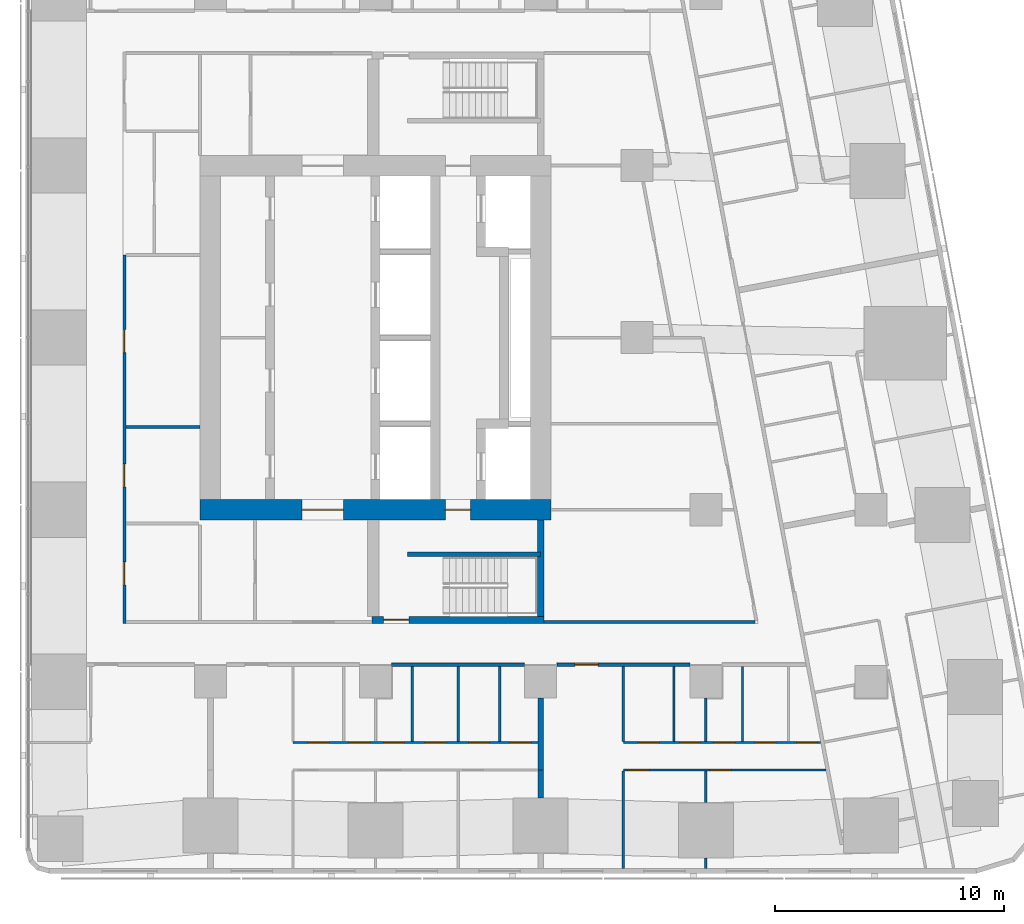
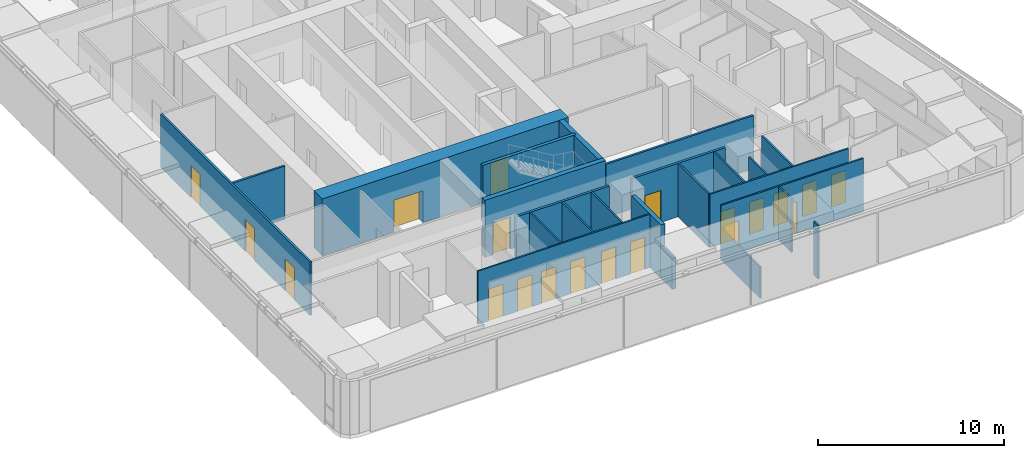
# One storey, part 11 of 19: 24 walls, 20 doors, 20 openings.
"""IFC4 building model written with IfcOpenShell, lengths in metres."""

from ifc_helpers import new_model, si_unit, direction, frame, frame_2d, origin, place, context, subcontext, project, spatial, rectangle, extrude, material, layer, layer_set, type_object, element, fill, save


model = new_model("IFC4")

# Units and contexts
model_context = context("Model", 3, precision=1e-05, world=origin(), true_north=direction((0.0, 1.0)))
body_context = subcontext(model_context, "Body", "Model", "MODEL_VIEW")
ifc_project = project(units=[si_unit("LENGTHUNIT", "METRE"), si_unit("AREAUNIT", "SQUARE_METRE"), si_unit("VOLUMEUNIT", "CUBIC_METRE"), si_unit("PLANEANGLEUNIT", "RADIAN"), si_unit("MASSUNIT", "GRAM", prefix="KILO")], contexts=[model_context])

# Site, building, storey
site_placement = place(None, origin())
site = spatial("IfcSite", under=ifc_project, at=site_placement, CompositionType="ELEMENT")
building_placement = place(site_placement, origin())
building = spatial("IfcBuilding", under=site, at=building_placement, Name="Sheger Commons Tower", CompositionType="ELEMENT")
storey_placement = place(building_placement, frame((0.0, 0.0, 201.199951171875)))
storey = spatial("IfcBuildingStorey", under=building, at=storey_placement, Name="L51", CompositionType="ELEMENT", Elevation=201.199951171875)

# Wall, openings, doors
ifc_material_1 = material(Name="Concrete C50/60", Category="concrete")
ifc_layer_1 = layer(ifc_material_1, 0.89990234375)
ifc_layer_set_1 = layer_set([ifc_layer_1], Name="CORE WALL 900")
wall_type_1 = type_object("IfcWallType", Name="CORE WALL 900", PredefinedType="SHEAR", material=ifc_layer_set_1)
wall_1_placement = place(storey_placement, frame((13.949951171875, 15.0, 0.0), z_axis=(0.0, 0.0, 1.0), x_axis=(1.0, 0.0, 0.0)))
wall_1 = element("IfcWall", 1, at=wall_1_placement, inside=storey, type_object=wall_type_1, Name="Core wall south L51", PredefinedType="SHEAR", context=body_context, shape_type="SweptSolid", body=[
    extrude(rectangle(XDim=15.300048828125, YDim=0.89990234375, at=frame_2d((7.64990234375, 0.0))), origin(), (0.0, 0.0, 1.0), 3.75),
])
opening_1_placement = place(wall_1_placement, frame((4.449951171875, 0.0, 0.0)))
opening_1 = element("IfcOpeningElement", 2, at=opening_1_placement, cuts=wall_1, Name="Opening D6", PredefinedType="OPENING", context=body_context, shape_type="SweptSolid", body=[
    extrude(rectangle(XDim=1.800048828125, YDim=2.10009765625, at=frame_2d((0.89990234375, 1.050048828125))), frame((0.0, 0.4599609375, 0.0), z_axis=(0.0, -1.0, 0.0), x_axis=(1.0, 0.0, 0.0)), (0.0, 0.0, 1.0), 0.919921875),
])
opening_2_placement = place(wall_1_placement, frame((10.699951171875, 0.0, 0.0)))
opening_2 = element("IfcOpeningElement", 3, at=opening_2_placement, cuts=wall_1, Name="Opening D5", PredefinedType="OPENING", context=body_context, shape_type="SweptSolid", body=[
    extrude(rectangle(XDim=1.10009765625, YDim=2.10009765625, at=frame_2d((0.550048828125, 1.050048828125))), frame((0.0, 0.4599609375, 0.0), z_axis=(0.0, -1.0, 0.0), x_axis=(1.0, 0.0, 0.0)), (0.0, 0.0, 1.0), 0.919921875),
])
ifc_material_2 = material(Name="Steel door set, fire rated", Category="steel")
door_type_1 = type_object("IfcDoorType", Name="LOBBY DOUBLE DOOR 1800x2100", OperationType="DOUBLE_DOOR_SINGLE_SWING", PredefinedType="DOOR", material=ifc_material_2)
door_1_placement = place(opening_1_placement, origin())
door_1 = element("IfcDoor", 4, at=door_1_placement, inside=storey, type_object=door_type_1, Name="Lift lobby door", OperationType="DOUBLE_DOOR_SINGLE_SWING", OverallHeight=2.10009765625, OverallWidth=1.800048828125, PredefinedType="DOOR", context=body_context, shape_type="SweptSolid", body=[
    extrude(rectangle(XDim=1.800048828125, YDim=2.10009765625, at=frame_2d((0.89990234375, 1.050048828125))), frame((0.0, 0.02490234375, 0.0), z_axis=(0.0, -1.0, 0.0), x_axis=(1.0, 0.0, 0.0)), (0.0, 0.0, 1.0), 0.050048828125),
])
fill(opening_1, door_1)
ifc_material_3 = material(Name="Steel door set, fire rated", Category="steel")
door_type_2 = type_object("IfcDoorType", Name="STAIR DOOR 1100x2100", OperationType="NOTDEFINED", PredefinedType="DOOR", material=ifc_material_3)
door_2_placement = place(opening_2_placement, origin())
door_2 = element("IfcDoor", 5, at=door_2_placement, inside=storey, type_object=door_type_2, Name="Fire-fighting lobby door", OperationType="SINGLE_SWING_LEFT", OverallHeight=2.10009765625, OverallWidth=1.10009765625, PredefinedType="DOOR", context=body_context, shape_type="SweptSolid", body=[
    extrude(rectangle(XDim=1.10009765625, YDim=2.10009765625, at=frame_2d((0.550048828125, 1.050048828125))), frame((0.0, 0.02490234375, 0.0), z_axis=(0.0, -1.0, 0.0), x_axis=(1.0, 0.0, 0.0)), (0.0, 0.0, 1.0), 0.050048828125),
])
fill(opening_2, door_2)

# Wall, opening, door
ifc_material_4 = material(Name="Hollow concrete block masonry, skimmed both sides", Category="masonry")
ifc_layer_2 = layer(ifc_material_4, 0.14990234375)
ifc_layer_set_2 = layer_set([ifc_layer_2], Name="CORRIDOR WALL 150")
wall_type_2 = type_object("IfcWallType", Name="CORRIDOR WALL 150", PredefinedType="SOLIDWALL", material=ifc_layer_set_2)
wall_2_placement = place(storey_placement, frame((35.299072265625, 8.25, 0.0), z_axis=(0.0, 0.0, 1.0), x_axis=(-1.0, 0.0, 0.0)))
wall_2 = element("IfcWall", 6, at=wall_2_placement, inside=storey, type_object=wall_type_2, Name="Corridor wall L51", PredefinedType="SOLIDWALL", context=body_context, shape_type="SweptSolid", body=[
    extrude(rectangle(XDim=5.798095703125, YDim=0.14990234375, at=frame_2d((2.89892578125, 0.0))), origin(), (0.0, 0.0, 1.0), 3.5),
])
opening_3_placement = place(wall_2_placement, frame((3.9990234375, 0.0, 0.0)))
opening_3 = element("IfcOpeningElement", 7, at=opening_3_placement, cuts=wall_2, Name="Opening D1", PredefinedType="OPENING", context=body_context, shape_type="SweptSolid", body=[
    extrude(rectangle(XDim=1.0, YDim=2.10009765625, at=frame_2d((0.5, 1.050048828125))), frame((0.0, 0.0849609375, 0.0), z_axis=(0.0, -1.0, 0.0), x_axis=(1.0, 0.0, 0.0)), (0.0, 0.0, 1.0), 0.169921875),
])
ifc_material_5 = material(Name="Steel door set, fire rated", Category="steel")
door_type_3 = type_object("IfcDoorType", Name="FLAT ENTRANCE DOOR 1000x2100", OperationType="NOTDEFINED", PredefinedType="DOOR", material=ifc_material_5)
door_3_placement = place(opening_3_placement, origin())
door_3 = element("IfcDoor", 8, at=door_3_placement, inside=storey, type_object=door_type_3, Name="Flat entrance door", OperationType="SINGLE_SWING_RIGHT", OverallHeight=2.10009765625, OverallWidth=1.0, PredefinedType="DOOR", context=body_context, shape_type="SweptSolid", body=[
    extrude(rectangle(XDim=1.0, YDim=2.10009765625, at=frame_2d((0.5, 1.050048828125))), frame((0.0, 0.02490234375, 0.0), z_axis=(0.0, -1.0, 0.0), x_axis=(1.0, 0.0, 0.0)), (0.0, 0.0, 1.0), 0.050048828125),
])
fill(opening_3, door_3)

# Walls
wall_3_placement = place(storey_placement, frame((28.09912109375, 8.25, 0.0), z_axis=(0.0, 0.0, 1.0), x_axis=(-1.0, 0.0, 0.0)))
element("IfcWall", 9, at=wall_3_placement, inside=storey, type_object=wall_type_2, Name="Corridor wall L51", PredefinedType="SOLIDWALL", context=body_context, shape_type="SweptSolid", body=[
    extrude(rectangle(XDim=5.798095703125, YDim=0.14990234375, at=frame_2d((2.89892578125, 0.0))), origin(), (0.0, 0.0, 1.0), 3.5),
])
ifc_material_6 = material(Name="Dense concrete block masonry, plastered both sides (separating wall between flats)", Category="masonry")
ifc_layer_3 = layer(ifc_material_6, 0.25)
ifc_layer_set_3 = layer_set([ifc_layer_3], Name="DEMISING WALL 250")
wall_type_3 = type_object("IfcWallType", Name="DEMISING WALL 250", PredefinedType="SOLIDWALL", material=ifc_layer_set_3)
wall_4_placement = place(storey_placement, frame((28.800048828125, 2.426025390625, 0.0), z_axis=(0.0, 0.0, 1.0), x_axis=(0.0, 1.0, 0.0)))
element("IfcWall", 10, at=wall_4_placement, inside=storey, type_object=wall_type_3, Name="Demising wall L51", PredefinedType="SOLIDWALL", context=body_context, shape_type="SweptSolid", body=[
    extrude(rectangle(XDim=1.223876953125, YDim=0.25, at=frame_2d((0.61181640625, 0.0))), origin(), (0.0, 0.0, 1.0), 2.050048828125),
])
wall_5_placement = place(storey_placement, frame((28.800048828125, 3.64990234375, 0.0), z_axis=(0.0, 0.0, 1.0), x_axis=(0.0, 1.0, 0.0)))
element("IfcWall", 11, at=wall_5_placement, inside=storey, type_object=wall_type_3, Name="Demising wall L51", PredefinedType="SOLIDWALL", context=body_context, shape_type="SweptSolid", body=[
    extrude(rectangle(XDim=3.149169921875, YDim=0.25, at=frame_2d((1.57470703125, 0.0))), origin(), (0.0, 0.0, 1.0), 3.5),
])

# Wall, openings, doors
ifc_material_7 = material(Name="Gypsum board on steel studs", Category="steel")
ifc_layer_4 = layer(ifc_material_7, 0.10009765625)
ifc_layer_set_4 = layer_set([ifc_layer_4], Name="PARTITION 100")
wall_type_4 = type_object("IfcWallType", Name="PARTITION 100", PredefinedType="PARTITIONING", material=ifc_layer_set_4)
wall_6_placement = place(storey_placement, frame((28.675048828125, 4.85009765625, 0.0), z_axis=(0.0, 0.0, 1.0), x_axis=(-1.0, 0.0, 0.0)))
wall_6 = element("IfcWall", 12, at=wall_6_placement, inside=storey, type_object=wall_type_4, Name="Partition L51", PredefinedType="PARTITIONING", context=body_context, shape_type="SweptSolid", body=[
    extrude(rectangle(XDim=10.675048828125, YDim=0.10009765625, at=frame_2d((5.33740234375, 0.0))), origin(), (0.0, 0.0, 1.0), 3.5),
])
opening_4_placement = place(wall_6_placement, frame((9.1201171875, 0.0, 0.0)))
opening_4 = element("IfcOpeningElement", 13, at=opening_4_placement, cuts=wall_6, Name="Opening D2", PredefinedType="OPENING", context=body_context, shape_type="SweptSolid", body=[
    extrude(rectangle(XDim=0.89990234375, YDim=2.10009765625, at=frame_2d((0.449951171875, 1.050048828125))), frame((0.0, 0.06005859375, 0.0), z_axis=(0.0, -1.0, 0.0), x_axis=(1.0, 0.0, 0.0)), (0.0, 0.0, 1.0), 0.1201171875),
])
opening_5_placement = place(wall_6_placement, frame((5.824951171875, 0.0, 0.0)))
opening_5 = element("IfcOpeningElement", 14, at=opening_5_placement, cuts=wall_6, Name="Opening D2", PredefinedType="OPENING", context=body_context, shape_type="SweptSolid", body=[
    extrude(rectangle(XDim=0.89990234375, YDim=2.10009765625, at=frame_2d((0.449951171875, 1.050048828125))), frame((0.0, 0.06005859375, 0.0), z_axis=(0.0, -1.0, 0.0), x_axis=(1.0, 0.0, 0.0)), (0.0, 0.0, 1.0), 0.1201171875),
])
opening_6_placement = place(wall_6_placement, frame((2.114990234375, 0.0, 0.0)))
opening_6 = element("IfcOpeningElement", 15, at=opening_6_placement, cuts=wall_6, Name="Opening D2", PredefinedType="OPENING", context=body_context, shape_type="SweptSolid", body=[
    extrude(rectangle(XDim=0.89990234375, YDim=2.10009765625, at=frame_2d((0.449951171875, 1.050048828125))), frame((0.0, 0.06005859375, 0.0), z_axis=(0.0, -1.0, 0.0), x_axis=(1.0, 0.0, 0.0)), (0.0, 0.0, 1.0), 0.1201171875),
])
opening_7_placement = place(wall_6_placement, frame((7.320068359375, 0.0, 0.0)))
opening_7 = element("IfcOpeningElement", 16, at=opening_7_placement, cuts=wall_6, Name="Opening D2", PredefinedType="OPENING", context=body_context, shape_type="SweptSolid", body=[
    extrude(rectangle(XDim=0.89990234375, YDim=2.10009765625, at=frame_2d((0.449951171875, 1.050048828125))), frame((0.0, 0.06005859375, 0.0), z_axis=(0.0, -1.0, 0.0), x_axis=(1.0, 0.0, 0.0)), (0.0, 0.0, 1.0), 0.1201171875),
])
opening_8_placement = place(wall_6_placement, frame((4.02490234375, 0.0, 0.0)))
opening_8 = element("IfcOpeningElement", 17, at=opening_8_placement, cuts=wall_6, Name="Opening D2", PredefinedType="OPENING", context=body_context, shape_type="SweptSolid", body=[
    extrude(rectangle(XDim=0.89990234375, YDim=2.10009765625, at=frame_2d((0.449951171875, 1.050048828125))), frame((0.0, 0.06005859375, 0.0), z_axis=(0.0, -1.0, 0.0), x_axis=(1.0, 0.0, 0.0)), (0.0, 0.0, 1.0), 0.1201171875),
])
opening_9_placement = place(wall_6_placement, frame((0.31494140625, 0.0, 0.0)))
opening_9 = element("IfcOpeningElement", 18, at=opening_9_placement, cuts=wall_6, Name="Opening D2", PredefinedType="OPENING", context=body_context, shape_type="SweptSolid", body=[
    extrude(rectangle(XDim=0.89990234375, YDim=2.10009765625, at=frame_2d((0.449951171875, 1.050048828125))), frame((0.0, 0.06005859375, 0.0), z_axis=(0.0, -1.0, 0.0), x_axis=(1.0, 0.0, 0.0)), (0.0, 0.0, 1.0), 0.1201171875),
])
ifc_material_8 = material(Name="Timber door set", Category="wood")
door_type_4 = type_object("IfcDoorType", Name="INTERNAL DOOR 900x2100", OperationType="NOTDEFINED", PredefinedType="DOOR", material=ifc_material_8)
door_4_placement = place(opening_4_placement, origin())
door_4 = element("IfcDoor", 19, at=door_4_placement, inside=storey, type_object=door_type_4, Name="Bathroom door", OperationType="SINGLE_SWING_LEFT", OverallHeight=2.10009765625, OverallWidth=0.89990234375, PredefinedType="DOOR", context=body_context, shape_type="SweptSolid", body=[
    extrude(rectangle(XDim=0.89990234375, YDim=2.10009765625, at=frame_2d((0.449951171875, 1.050048828125))), frame((0.0, 0.02490234375, 0.0), z_axis=(0.0, -1.0, 0.0), x_axis=(1.0, 0.0, 0.0)), (0.0, 0.0, 1.0), 0.050048828125),
])
fill(opening_4, door_4)
door_5_placement = place(opening_5_placement, origin())
door_5 = element("IfcDoor", 20, at=door_5_placement, inside=storey, type_object=door_type_4, Name="Shower room door", OperationType="SINGLE_SWING_LEFT", OverallHeight=2.10009765625, OverallWidth=0.89990234375, PredefinedType="DOOR", context=body_context, shape_type="SweptSolid", body=[
    extrude(rectangle(XDim=0.89990234375, YDim=2.10009765625, at=frame_2d((0.449951171875, 1.050048828125))), frame((0.0, 0.02490234375, 0.0), z_axis=(0.0, -1.0, 0.0), x_axis=(1.0, 0.0, 0.0)), (0.0, 0.0, 1.0), 0.050048828125),
])
fill(opening_5, door_5)
door_6_placement = place(opening_6_placement, origin())
door_6 = element("IfcDoor", 21, at=door_6_placement, inside=storey, type_object=door_type_4, Name="Laundry room door", OperationType="SINGLE_SWING_LEFT", OverallHeight=2.10009765625, OverallWidth=0.89990234375, PredefinedType="DOOR", context=body_context, shape_type="SweptSolid", body=[
    extrude(rectangle(XDim=0.89990234375, YDim=2.10009765625, at=frame_2d((0.449951171875, 1.050048828125))), frame((0.0, 0.02490234375, 0.0), z_axis=(0.0, -1.0, 0.0), x_axis=(1.0, 0.0, 0.0)), (0.0, 0.0, 1.0), 0.050048828125),
])
fill(opening_6, door_6)
door_7_placement = place(opening_7_placement, origin())
door_7 = element("IfcDoor", 22, at=door_7_placement, inside=storey, type_object=door_type_4, Name="Store door", OperationType="SINGLE_SWING_RIGHT", OverallHeight=2.10009765625, OverallWidth=0.89990234375, PredefinedType="DOOR", context=body_context, shape_type="SweptSolid", body=[
    extrude(rectangle(XDim=0.89990234375, YDim=2.10009765625, at=frame_2d((0.449951171875, 1.050048828125))), frame((0.0, 0.02490234375, 0.0), z_axis=(0.0, -1.0, 0.0), x_axis=(1.0, 0.0, 0.0)), (0.0, 0.0, 1.0), 0.050048828125),
])
fill(opening_7, door_7)
door_8_placement = place(opening_8_placement, origin())
door_8 = element("IfcDoor", 23, at=door_8_placement, inside=storey, type_object=door_type_4, Name="Store door", OperationType="SINGLE_SWING_RIGHT", OverallHeight=2.10009765625, OverallWidth=0.89990234375, PredefinedType="DOOR", context=body_context, shape_type="SweptSolid", body=[
    extrude(rectangle(XDim=0.89990234375, YDim=2.10009765625, at=frame_2d((0.449951171875, 1.050048828125))), frame((0.0, 0.02490234375, 0.0), z_axis=(0.0, -1.0, 0.0), x_axis=(1.0, 0.0, 0.0)), (0.0, 0.0, 1.0), 0.050048828125),
])
fill(opening_8, door_8)
door_9_placement = place(opening_9_placement, origin())
door_9 = element("IfcDoor", 24, at=door_9_placement, inside=storey, type_object=door_type_4, Name="Store door", OperationType="SINGLE_SWING_RIGHT", OverallHeight=2.10009765625, OverallWidth=0.89990234375, PredefinedType="DOOR", context=body_context, shape_type="SweptSolid", body=[
    extrude(rectangle(XDim=0.89990234375, YDim=2.10009765625, at=frame_2d((0.449951171875, 1.050048828125))), frame((0.0, 0.02490234375, 0.0), z_axis=(0.0, -1.0, 0.0), x_axis=(1.0, 0.0, 0.0)), (0.0, 0.0, 1.0), 0.050048828125),
])
fill(opening_9, door_9)

# Walls
for number, where, z_axis, x_axis, name in (
    (25, (25.199951171875, 4.89990234375, 0.0), (0.0, 0.0, 1.0), (0.0, 1.0, 0.0), "Partition L51"),
    (26, (23.199951171875, 4.89990234375, 0.0), (0.0, 0.0, 1.0), (0.0, 1.0, 0.0), "Partition L51"),
    (27, (27.02001953125, 4.89990234375, 0.0), (0.0, 0.0, 1.0), (0.0, 1.0, 0.0), "Partition L51"),
):
    element("IfcWall", number, at=place(storey_placement, frame(where, z_axis=z_axis, x_axis=x_axis)), inside=storey, type_object=wall_type_4, Name=name, PredefinedType="PARTITIONING", context=body_context, shape_type="SweptSolid", body=[
        extrude(rectangle(XDim=3.275146484375, YDim=0.10009765625, at=frame_2d((1.6376953125, 0.0))), origin(), (0.0, 0.0, 1.0), 3.5),
    ])

# Wall, openings, doors
wall_7_placement = place(storey_placement, frame((41.22900390625, 3.64990234375, 0.0), z_axis=(0.0, 0.0, 1.0), x_axis=(-1.0, 0.0, 0.0)))
wall_7 = element("IfcWall", 28, at=wall_7_placement, inside=storey, type_object=wall_type_4, Name="Partition L51", PredefinedType="PARTITIONING", context=body_context, shape_type="SweptSolid", body=[
    extrude(rectangle(XDim=8.8291015625, YDim=0.10009765625, at=frame_2d((4.41455078125, 0.0))), origin(), (0.0, 0.0, 1.0), 3.5),
])
opening_10_placement = place(wall_7_placement, frame((7.72900390625, 0.0, 0.0)))
opening_10 = element("IfcOpeningElement", 29, at=opening_10_placement, cuts=wall_7, Name="Opening D2", PredefinedType="OPENING", context=body_context, shape_type="SweptSolid", body=[
    extrude(rectangle(XDim=0.89990234375, YDim=2.10009765625, at=frame_2d((0.449951171875, 1.050048828125))), frame((0.0, 0.06005859375, 0.0), z_axis=(0.0, -1.0, 0.0), x_axis=(1.0, 0.0, 0.0)), (0.0, 0.0, 1.0), 0.1201171875),
])
opening_11_placement = place(wall_7_placement, frame((4.12890625, 0.0, 0.0)))
opening_11 = element("IfcOpeningElement", 30, at=opening_11_placement, cuts=wall_7, Name="Opening D2", PredefinedType="OPENING", context=body_context, shape_type="SweptSolid", body=[
    extrude(rectangle(XDim=0.89990234375, YDim=2.10009765625, at=frame_2d((0.449951171875, 1.050048828125))), frame((0.0, 0.06005859375, 0.0), z_axis=(0.0, -1.0, 0.0), x_axis=(1.0, 0.0, 0.0)), (0.0, 0.0, 1.0), 0.1201171875),
])
door_10_placement = place(opening_10_placement, origin())
door_10 = element("IfcDoor", 31, at=door_10_placement, inside=storey, type_object=door_type_4, Name="Main bedroom door", OperationType="SINGLE_SWING_RIGHT", OverallHeight=2.10009765625, OverallWidth=0.89990234375, PredefinedType="DOOR", context=body_context, shape_type="SweptSolid", body=[
    extrude(rectangle(XDim=0.89990234375, YDim=2.10009765625, at=frame_2d((0.449951171875, 1.050048828125))), frame((0.0, 0.02490234375, 0.0), z_axis=(0.0, -1.0, 0.0), x_axis=(1.0, 0.0, 0.0)), (0.0, 0.0, 1.0), 0.050048828125),
])
fill(opening_10, door_10)
door_11_placement = place(opening_11_placement, origin())
door_11 = element("IfcDoor", 32, at=door_11_placement, inside=storey, type_object=door_type_4, Name="Bedroom 2 door", OperationType="SINGLE_SWING_RIGHT", OverallHeight=2.10009765625, OverallWidth=0.89990234375, PredefinedType="DOOR", context=body_context, shape_type="SweptSolid", body=[
    extrude(rectangle(XDim=0.89990234375, YDim=2.10009765625, at=frame_2d((0.449951171875, 1.050048828125))), frame((0.0, 0.02490234375, 0.0), z_axis=(0.0, -1.0, 0.0), x_axis=(1.0, 0.0, 0.0)), (0.0, 0.0, 1.0), 0.050048828125),
])
fill(opening_11, door_11)

wall_8_placement = place(storey_placement, frame((41.001953125, 4.85009765625, 0.0), z_axis=(0.0, 0.0, 1.0), x_axis=(-1.0, 0.0, 0.0)))
wall_8 = element("IfcWall", 33, at=wall_8_placement, inside=storey, type_object=wall_type_4, Name="Partition L51", PredefinedType="PARTITIONING", context=body_context, shape_type="SweptSolid", body=[
    extrude(rectangle(XDim=8.60205078125, YDim=0.10009765625, at=frame_2d((4.301025390625, 0.0))), origin(), (0.0, 0.0, 1.0), 3.5),
])
opening_12_placement = place(wall_8_placement, frame((7.047119140625, 0.0, 0.0)))
opening_12 = element("IfcOpeningElement", 34, at=opening_12_placement, cuts=wall_8, Name="Opening D2", PredefinedType="OPENING", context=body_context, shape_type="SweptSolid", body=[
    extrude(rectangle(XDim=0.89990234375, YDim=2.10009765625, at=frame_2d((0.449951171875, 1.050048828125))), frame((0.0, 0.06005859375, 0.0), z_axis=(0.0, -1.0, 0.0), x_axis=(1.0, 0.0, 0.0)), (0.0, 0.0, 1.0), 0.1201171875),
])
opening_13_placement = place(wall_8_placement, frame((3.751953125, 0.0, 0.0)))
opening_13 = element("IfcOpeningElement", 35, at=opening_13_placement, cuts=wall_8, Name="Opening D2", PredefinedType="OPENING", context=body_context, shape_type="SweptSolid", body=[
    extrude(rectangle(XDim=0.89990234375, YDim=2.10009765625, at=frame_2d((0.449951171875, 1.050048828125))), frame((0.0, 0.06005859375, 0.0), z_axis=(0.0, -1.0, 0.0), x_axis=(1.0, 0.0, 0.0)), (0.0, 0.0, 1.0), 0.1201171875),
])
opening_14_placement = place(wall_8_placement, frame((0.14990234375, 0.0, 0.0)))
opening_14 = element("IfcOpeningElement", 36, at=opening_14_placement, cuts=wall_8, Name="Opening D2", PredefinedType="OPENING", context=body_context, shape_type="SweptSolid", body=[
    extrude(rectangle(XDim=0.89990234375, YDim=2.10009765625, at=frame_2d((0.449951171875, 1.050048828125))), frame((0.0, 0.06005859375, 0.0), z_axis=(0.0, -1.0, 0.0), x_axis=(1.0, 0.0, 0.0)), (0.0, 0.0, 1.0), 0.1201171875),
])
opening_15_placement = place(wall_8_placement, frame((5.2470703125, 0.0, 0.0)))
opening_15 = element("IfcOpeningElement", 37, at=opening_15_placement, cuts=wall_8, Name="Opening D2", PredefinedType="OPENING", context=body_context, shape_type="SweptSolid", body=[
    extrude(rectangle(XDim=0.89990234375, YDim=2.10009765625, at=frame_2d((0.449951171875, 1.050048828125))), frame((0.0, 0.06005859375, 0.0), z_axis=(0.0, -1.0, 0.0), x_axis=(1.0, 0.0, 0.0)), (0.0, 0.0, 1.0), 0.1201171875),
])
opening_16_placement = place(wall_8_placement, frame((1.951904296875, 0.0, 0.0)))
opening_16 = element("IfcOpeningElement", 38, at=opening_16_placement, cuts=wall_8, Name="Opening D2", PredefinedType="OPENING", context=body_context, shape_type="SweptSolid", body=[
    extrude(rectangle(XDim=0.89990234375, YDim=2.10009765625, at=frame_2d((0.449951171875, 1.050048828125))), frame((0.0, 0.06005859375, 0.0), z_axis=(0.0, -1.0, 0.0), x_axis=(1.0, 0.0, 0.0)), (0.0, 0.0, 1.0), 0.1201171875),
])
door_12_placement = place(opening_12_placement, origin())
door_12 = element("IfcDoor", 39, at=door_12_placement, inside=storey, type_object=door_type_4, Name="Bathroom door", OperationType="SINGLE_SWING_LEFT", OverallHeight=2.10009765625, OverallWidth=0.89990234375, PredefinedType="DOOR", context=body_context, shape_type="SweptSolid", body=[
    extrude(rectangle(XDim=0.89990234375, YDim=2.10009765625, at=frame_2d((0.449951171875, 1.050048828125))), frame((0.0, 0.02490234375, 0.0), z_axis=(0.0, -1.0, 0.0), x_axis=(1.0, 0.0, 0.0)), (0.0, 0.0, 1.0), 0.050048828125),
])
fill(opening_12, door_12)
door_13_placement = place(opening_13_placement, origin())
door_13 = element("IfcDoor", 40, at=door_13_placement, inside=storey, type_object=door_type_4, Name="Shower room door", OperationType="SINGLE_SWING_RIGHT", OverallHeight=2.10009765625, OverallWidth=0.89990234375, PredefinedType="DOOR", context=body_context, shape_type="SweptSolid", body=[
    extrude(rectangle(XDim=0.89990234375, YDim=2.10009765625, at=frame_2d((0.449951171875, 1.050048828125))), frame((0.0, 0.02490234375, 0.0), z_axis=(0.0, -1.0, 0.0), x_axis=(1.0, 0.0, 0.0)), (0.0, 0.0, 1.0), 0.050048828125),
])
fill(opening_13, door_13)
door_14_placement = place(opening_14_placement, origin())
door_14 = element("IfcDoor", 41, at=door_14_placement, inside=storey, type_object=door_type_4, Name="Laundry room door", OperationType="SINGLE_SWING_RIGHT", OverallHeight=2.10009765625, OverallWidth=0.89990234375, PredefinedType="DOOR", context=body_context, shape_type="SweptSolid", body=[
    extrude(rectangle(XDim=0.89990234375, YDim=2.10009765625, at=frame_2d((0.449951171875, 1.050048828125))), frame((0.0, 0.02490234375, 0.0), z_axis=(0.0, -1.0, 0.0), x_axis=(1.0, 0.0, 0.0)), (0.0, 0.0, 1.0), 0.050048828125),
])
fill(opening_14, door_14)
door_15_placement = place(opening_15_placement, origin())
door_15 = element("IfcDoor", 42, at=door_15_placement, inside=storey, type_object=door_type_4, Name="Store door", OperationType="SINGLE_SWING_LEFT", OverallHeight=2.10009765625, OverallWidth=0.89990234375, PredefinedType="DOOR", context=body_context, shape_type="SweptSolid", body=[
    extrude(rectangle(XDim=0.89990234375, YDim=2.10009765625, at=frame_2d((0.449951171875, 1.050048828125))), frame((0.0, 0.02490234375, 0.0), z_axis=(0.0, -1.0, 0.0), x_axis=(1.0, 0.0, 0.0)), (0.0, 0.0, 1.0), 0.050048828125),
])
fill(opening_15, door_15)
door_16_placement = place(opening_16_placement, origin())
door_16 = element("IfcDoor", 43, at=door_16_placement, inside=storey, type_object=door_type_4, Name="Store door", OperationType="SINGLE_SWING_LEFT", OverallHeight=2.10009765625, OverallWidth=0.89990234375, PredefinedType="DOOR", context=body_context, shape_type="SweptSolid", body=[
    extrude(rectangle(XDim=0.89990234375, YDim=2.10009765625, at=frame_2d((0.449951171875, 1.050048828125))), frame((0.0, 0.02490234375, 0.0), z_axis=(0.0, -1.0, 0.0), x_axis=(1.0, 0.0, 0.0)), (0.0, 0.0, 1.0), 0.050048828125),
])
fill(opening_16, door_16)

# Walls
wall_9_placement = place(storey_placement, frame((32.39990234375, -0.64990234375, 0.0), z_axis=(0.0, 0.0, 1.0), x_axis=(0.0, 1.0, 0.0)))
element("IfcWall", 44, at=wall_9_placement, inside=storey, type_object=wall_type_4, Name="Partition L51", PredefinedType="PARTITIONING", context=body_context, shape_type="SweptSolid", body=[
    extrude(rectangle(XDim=4.25, YDim=0.10009765625, at=frame_2d((2.125, 0.0))), origin(), (0.0, 0.0, 1.0), 2.050048828125),
])
wall_10_placement = place(storey_placement, frame((36.0, -0.64990234375, 0.0), z_axis=(0.0, 0.0, 1.0), x_axis=(0.0, 1.0, 0.0)))
element("IfcWall", 45, at=wall_10_placement, inside=storey, type_object=wall_type_4, Name="Partition L51", PredefinedType="PARTITIONING", context=body_context, shape_type="SweptSolid", body=[
    extrude(rectangle(XDim=0.473876953125, YDim=0.10009765625, at=frame_2d((0.23681640625, 0.0))), origin(), (0.0, 0.0, 1.0), 3.5),
])
wall_11_placement = place(storey_placement, frame((36.0, 2.22607421875, 0.0), z_axis=(0.0, 0.0, 1.0), x_axis=(0.0, 1.0, 0.0)))
element("IfcWall", 46, at=wall_11_placement, inside=storey, type_object=wall_type_4, Name="Partition L51", PredefinedType="PARTITIONING", context=body_context, shape_type="SweptSolid", body=[
    extrude(rectangle(XDim=1.3740234375, YDim=0.10009765625, at=frame_2d((0.68701171875, 0.0))), origin(), (0.0, 0.0, 1.0), 3.5),
])
wall_12_placement = place(storey_placement, frame((32.39990234375, 4.89990234375, 0.0), z_axis=(0.0, 0.0, 1.0), x_axis=(0.0, 1.0, 0.0)))
element("IfcWall", 47, at=wall_12_placement, inside=storey, type_object=wall_type_4, Name="Partition L51", PredefinedType="PARTITIONING", context=body_context, shape_type="SweptSolid", body=[
    extrude(rectangle(XDim=3.275146484375, YDim=0.10009765625, at=frame_2d((1.6376953125, 0.0))), origin(), (0.0, 0.0, 1.0), 3.5),
])
wall_13_placement = place(storey_placement, frame((36.0, 4.89990234375, 0.0), z_axis=(0.0, 0.0, 1.0), x_axis=(0.0, 1.0, 0.0)))
element("IfcWall", 48, at=wall_13_placement, inside=storey, type_object=wall_type_4, Name="Partition L51", PredefinedType="PARTITIONING", context=body_context, shape_type="SweptSolid", body=[
    extrude(rectangle(XDim=1.899169921875, YDim=0.10009765625, at=frame_2d((0.94970703125, 0.0))), origin(), (0.0, 0.0, 1.0), 3.5),
])
for number, where, z_axis, x_axis, name in (
    (49, (34.610107421875, 4.89990234375, 0.0), (0.0, 0.0, 1.0), (0.0, 1.0, 0.0), "Partition L51"),
    (50, (37.60009765625, 4.89990234375, 0.0), (0.0, 0.0, 1.0), (0.0, 1.0, 0.0), "Partition L51"),
):
    element("IfcWall", number, at=place(storey_placement, frame(where, z_axis=z_axis, x_axis=x_axis)), inside=storey, type_object=wall_type_4, Name=name, PredefinedType="PARTITIONING", context=body_context, shape_type="SweptSolid", body=[
        extrude(rectangle(XDim=3.275146484375, YDim=0.10009765625, at=frame_2d((1.6376953125, 0.0))), origin(), (0.0, 0.0, 1.0), 3.5),
    ])

# Wall, openings, doors
ifc_material_9 = material(Name="Gypsum board on steel studs, two layers each side, fire rated", Category="steel")
ifc_layer_5 = layer(ifc_material_9, 0.125)
ifc_layer_set_5 = layer_set([ifc_layer_5], Name="SERVICE WALL 125")
wall_type_5 = type_object("IfcWallType", Name="SERVICE WALL 125", PredefinedType="PARTITIONING", material=ifc_layer_set_5)
wall_14_placement = place(storey_placement, frame((10.64990234375, 10.050048828125, 0.0), z_axis=(0.0, 0.0, 1.0), x_axis=(0.0, 1.0, 0.0)))
wall_14 = element("IfcWall", 51, at=wall_14_placement, inside=storey, type_object=wall_type_5, Name="Service room wall L51", PredefinedType="PARTITIONING", context=body_context, shape_type="SweptSolid", body=[
    extrude(rectangle(XDim=16.050048828125, YDim=0.125, at=frame_2d((8.02490234375, 0.0))), origin(), (0.0, 0.0, 1.0), 3.5),
])
opening_17_placement = place(wall_14_placement, frame((1.675048828125, 0.0, 0.0)))
opening_17 = element("IfcOpeningElement", 52, at=opening_17_placement, cuts=wall_14, Name="Opening D4", PredefinedType="OPENING", context=body_context, shape_type="SweptSolid", body=[
    extrude(rectangle(XDim=1.0, YDim=2.10009765625, at=frame_2d((0.5, 1.050048828125))), frame((0.0, 0.072509765625, 0.0), z_axis=(0.0, -1.0, 0.0), x_axis=(1.0, 0.0, 0.0)), (0.0, 0.0, 1.0), 0.14501953125),
])
opening_18_placement = place(wall_14_placement, frame((5.949951171875, 0.0, 0.0)))
opening_18 = element("IfcOpeningElement", 53, at=opening_18_placement, cuts=wall_14, Name="Opening D4", PredefinedType="OPENING", context=body_context, shape_type="SweptSolid", body=[
    extrude(rectangle(XDim=1.0, YDim=2.10009765625, at=frame_2d((0.5, 1.050048828125))), frame((0.0, 0.072509765625, 0.0), z_axis=(0.0, -1.0, 0.0), x_axis=(1.0, 0.0, 0.0)), (0.0, 0.0, 1.0), 0.14501953125),
])
opening_19_placement = place(wall_14_placement, frame((11.800048828125, 0.0, 0.0)))
opening_19 = element("IfcOpeningElement", 54, at=opening_19_placement, cuts=wall_14, Name="Opening D4", PredefinedType="OPENING", context=body_context, shape_type="SweptSolid", body=[
    extrude(rectangle(XDim=1.0, YDim=2.10009765625, at=frame_2d((0.5, 1.050048828125))), frame((0.0, 0.072509765625, 0.0), z_axis=(0.0, -1.0, 0.0), x_axis=(1.0, 0.0, 0.0)), (0.0, 0.0, 1.0), 0.14501953125),
])
ifc_material_10 = material(Name="Steel door set, fire rated", Category="steel")
door_type_5 = type_object("IfcDoorType", Name="SERVICE DOOR 1000x2100", OperationType="NOTDEFINED", PredefinedType="DOOR", material=ifc_material_10)
door_17_placement = place(opening_17_placement, origin())
door_17 = element("IfcDoor", 55, at=door_17_placement, inside=storey, type_object=door_type_5, Name="Refuse chute room door", OperationType="SINGLE_SWING_RIGHT", OverallHeight=2.10009765625, OverallWidth=1.0, PredefinedType="DOOR", context=body_context, shape_type="SweptSolid", body=[
    extrude(rectangle(XDim=1.0, YDim=2.10009765625, at=frame_2d((0.5, 1.050048828125))), frame((0.0, 0.02490234375, 0.0), z_axis=(0.0, -1.0, 0.0), x_axis=(1.0, 0.0, 0.0)), (0.0, 0.0, 1.0), 0.050048828125),
])
fill(opening_17, door_17)
door_18_placement = place(opening_18_placement, origin())
door_18 = element("IfcDoor", 56, at=door_18_placement, inside=storey, type_object=door_type_5, Name="Recycling room door", OperationType="SINGLE_SWING_LEFT", OverallHeight=2.10009765625, OverallWidth=1.0, PredefinedType="DOOR", context=body_context, shape_type="SweptSolid", body=[
    extrude(rectangle(XDim=1.0, YDim=2.10009765625, at=frame_2d((0.5, 1.050048828125))), frame((0.0, 0.02490234375, 0.0), z_axis=(0.0, -1.0, 0.0), x_axis=(1.0, 0.0, 0.0)), (0.0, 0.0, 1.0), 0.050048828125),
])
fill(opening_18, door_18)
door_19_placement = place(opening_19_placement, origin())
door_19 = element("IfcDoor", 57, at=door_19_placement, inside=storey, type_object=door_type_5, Name="Bicycle and pram store door", OperationType="SINGLE_SWING_LEFT", OverallHeight=2.10009765625, OverallWidth=1.0, PredefinedType="DOOR", context=body_context, shape_type="SweptSolid", body=[
    extrude(rectangle(XDim=1.0, YDim=2.10009765625, at=frame_2d((0.5, 1.050048828125))), frame((0.0, 0.02490234375, 0.0), z_axis=(0.0, -1.0, 0.0), x_axis=(1.0, 0.0, 0.0)), (0.0, 0.0, 1.0), 0.050048828125),
])
fill(opening_19, door_19)

# Walls
wall_15_placement = place(storey_placement, frame((10.712890625, 18.60009765625, 0.0), z_axis=(0.0, 0.0, 1.0), x_axis=(1.0, 0.0, 0.0)))
element("IfcWall", 58, at=wall_15_placement, inside=storey, type_object=wall_type_5, Name="Service room wall L51", PredefinedType="PARTITIONING", context=body_context, shape_type="SweptSolid", body=[
    extrude(rectangle(XDim=3.237060546875, YDim=0.125, at=frame_2d((1.61865234375, 0.0))), origin(), (0.0, 0.0, 1.0), 3.5),
])
wall_16_placement = place(storey_placement, frame((28.949951171875, 10.10009765625, 0.0), z_axis=(0.0, 0.0, 1.0), x_axis=(1.0, 0.0, 0.0)))
element("IfcWall", 59, at=wall_16_placement, inside=storey, type_object=wall_type_5, Name="Service room wall L51", PredefinedType="PARTITIONING", context=body_context, shape_type="SweptSolid", body=[
    extrude(rectangle(XDim=9.18798828125, YDim=0.125, at=frame_2d((4.593994140625, 0.0))), origin(), (0.0, 0.0, 1.0), 3.5),
])

# Wall, opening, door
ifc_material_11 = material(Name="Concrete C50/60", Category="concrete")
ifc_layer_6 = layer(ifc_material_11, 0.300048828125)
ifc_layer_set_6 = layer_set([ifc_layer_6], Name="STAIR CORE WALL 300")
wall_type_6 = type_object("IfcWallType", Name="STAIR CORE WALL 300", PredefinedType="SHEAR", material=ifc_layer_set_6)
wall_17_placement = place(storey_placement, frame((21.449951171875, 10.199951171875, 0.0), z_axis=(0.0, 0.0, 1.0), x_axis=(1.0, 0.0, 0.0)))
wall_17 = element("IfcWall", 60, at=wall_17_placement, inside=storey, type_object=wall_type_6, Name="STW-L51-S1S", PredefinedType="SHEAR", context=body_context, shape_type="SweptSolid", body=[
    extrude(rectangle(XDim=7.5, YDim=0.300048828125, at=frame_2d((3.75, 0.0))), origin(), (0.0, 0.0, 1.0), 3.75),
])
opening_20_placement = place(wall_17_placement, frame((0.5, 0.0, 0.0)))
opening_20 = element("IfcOpeningElement", 61, at=opening_20_placement, cuts=wall_17, Name="Opening D5", PredefinedType="OPENING", context=body_context, shape_type="SweptSolid", body=[
    extrude(rectangle(XDim=1.10009765625, YDim=2.10009765625, at=frame_2d((0.550048828125, 1.050048828125))), frame((0.0, 0.159912109375, 0.0), z_axis=(0.0, -1.0, 0.0), x_axis=(1.0, 0.0, 0.0)), (0.0, 0.0, 1.0), 0.320068359375),
])
door_20_placement = place(opening_20_placement, origin())
door_20 = element("IfcDoor", 62, at=door_20_placement, inside=storey, type_object=door_type_2, Name="Stair S1 door", OperationType="SINGLE_SWING_LEFT", OverallHeight=2.10009765625, OverallWidth=1.10009765625, PredefinedType="DOOR", context=body_context, shape_type="SweptSolid", body=[
    extrude(rectangle(XDim=1.10009765625, YDim=2.10009765625, at=frame_2d((0.550048828125, 1.050048828125))), frame((0.0, 0.02490234375, 0.0), z_axis=(0.0, -1.0, 0.0), x_axis=(1.0, 0.0, 0.0)), (0.0, 0.0, 1.0), 0.050048828125),
])
fill(opening_20, door_20)

# Walls
wall_18_placement = place(storey_placement, frame((28.800048828125, 10.35009765625, 0.0), z_axis=(0.0, 0.0, 1.0), x_axis=(0.0, 1.0, 0.0)))
element("IfcWall", 63, at=wall_18_placement, inside=storey, type_object=wall_type_6, Name="STW-L51-S1E", PredefinedType="SHEAR", context=body_context, shape_type="SweptSolid", body=[
    extrude(rectangle(XDim=4.199951171875, YDim=0.300048828125, at=frame_2d((2.10009765625, 0.0))), origin(), (0.0, 0.0, 1.0), 3.75),
])
ifc_material_12 = material(Name="Concrete C50/60", Category="concrete")
ifc_layer_7 = layer(ifc_material_12, 0.199951171875)
ifc_layer_set_7 = layer_set([ifc_layer_7], Name="STAIR SPINE WALL 200")
wall_type_7 = type_object("IfcWallType", Name="STAIR SPINE WALL 200", PredefinedType="SHEAR", material=ifc_layer_set_7)
wall_19_placement = place(storey_placement, frame((23.0, 13.050048828125, 0.0), z_axis=(0.0, 0.0, 1.0), x_axis=(1.0, 0.0, 0.0)))
element("IfcWall", 64, at=wall_19_placement, inside=storey, type_object=wall_type_7, Name="Stair spine wall L51", PredefinedType="SHEAR", context=body_context, shape_type="SweptSolid", body=[
    extrude(rectangle(XDim=5.800048828125, YDim=0.199951171875, at=frame_2d((2.89990234375, 0.0))), origin(), (0.0, 0.0, 1.0), 3.75),
])

save(model, "model.ifc")
